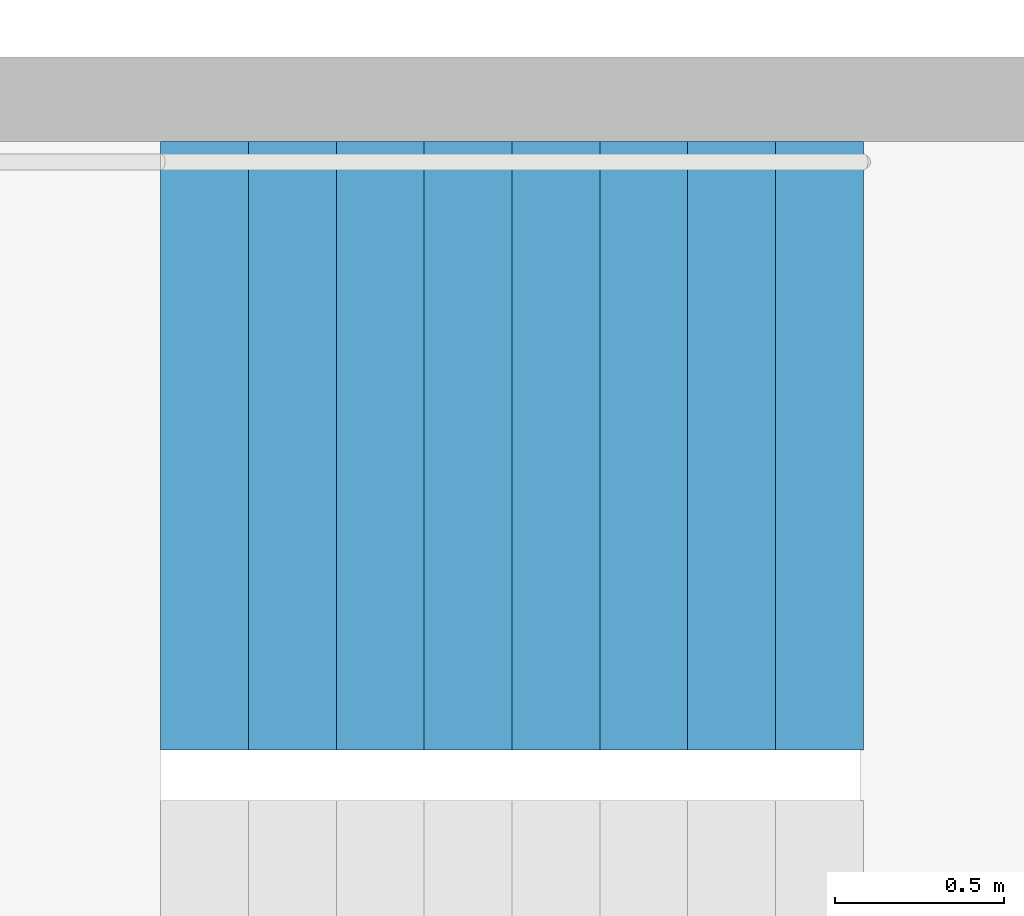
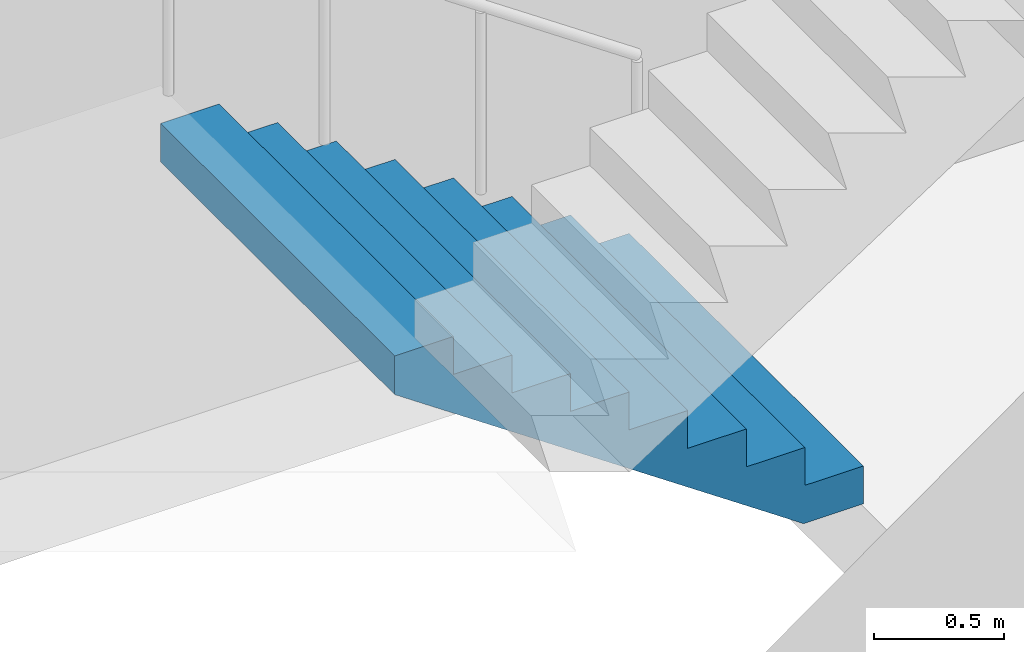
# One storey, part 22 of 29: 1 stair flight, 1 element without a shape of its own.
"""IFC4 building model written with IfcOpenShell, lengths in metres."""

from ifc_helpers import new_model, si_unit, direction, frame, origin, place, context, subcontext, project, spatial, triangles, material, type_object, element, aggregate, save


model = new_model("IFC4")

# Units and contexts
model_context = context("Model", 3, precision=1e-05, world=origin(), true_north=direction((0.0, 1.0)))
body_context = subcontext(model_context, "Body", "Model", "MODEL_VIEW")
ifc_project = project(units=[si_unit("LENGTHUNIT", "METRE"), si_unit("AREAUNIT", "SQUARE_METRE"), si_unit("VOLUMEUNIT", "CUBIC_METRE"), si_unit("PLANEANGLEUNIT", "RADIAN"), si_unit("MASSUNIT", "GRAM", prefix="KILO")], contexts=[model_context])

# Site, building, storey
site_placement = place(None, origin())
site = spatial("IfcSite", under=ifc_project, at=site_placement, CompositionType="ELEMENT")
building_placement = place(site_placement, origin())
building = spatial("IfcBuilding", under=site, at=building_placement, Name="Hakoniwa Tower and Hamabe Station Hall", CompositionType="ELEMENT")
storey_placement = place(building_placement, frame((0.0, 0.0, 117.0)))
storey = spatial("IfcBuildingStorey", under=building, at=storey_placement, Name="L33", CompositionType="ELEMENT", Elevation=117.0)

# Stair, stair flight
ifc_material_1 = material(Name="Concrete C40", Category="concrete")
stair_type = type_object("IfcStairType", Name="ESCAPE STAIR 1800", PredefinedType="HALF_TURN_STAIR", material=ifc_material_1)
stair_placement = place(storey_placement, origin())
stair = element("IfcStair", 1, at=stair_placement, inside=storey, type_object=stair_type, Name="Escape stair ST-2 L33", PredefinedType="HALF_TURN_STAIR")
ifc_material_2 = material(Name="Concrete C40", Category="concrete")
stair_flight_type = type_object("IfcStairFlightType", Name="STAIR FLIGHT 1800", PredefinedType="STRAIGHT", material=ifc_material_2)
stair_flight_placement = place(storey_placement, frame((-23.39990234375, -4.64990234375, 0.0), z_axis=(0.0, 0.0, 1.0), x_axis=(-1.0, 0.0, 0.0)))
stair_flight = element("IfcStairFlight", 2, at=stair_flight_placement, type_object=stair_flight_type, Name="ST-2 flight 1", NumberOfRisers=9, NumberOfTreads=8, PredefinedType="STRAIGHT", RiserHeight=0.177777778, TreadLength=0.26, context=body_context, shape_type="Tessellation", body=[
    triangles([(0.0, 0.89990234375, 0.0), (0.260009765625, 0.89990234375, 0.0), (0.265625, 0.89990234375, 0.0), (0.52001953125, 0.89990234375, 0.174072265625), (0.780029296875, 0.89990234375, 0.351806640625), (1.0400390625, 0.89990234375, 0.529541015625), (1.300048828125, 0.89990234375, 0.707275390625), (1.56005859375, 0.89990234375, 0.885009765625), (1.820068359375, 0.89990234375, 1.062744140625), (2.080078125, 0.89990234375, 1.24072265625), (2.080078125, 0.89990234375, 1.422119140625), (1.820068359375, 0.89990234375, 1.422119140625), (1.820068359375, 0.89990234375, 1.244384765625), (1.56005859375, 0.89990234375, 1.244384765625), (1.56005859375, 0.89990234375, 1.066650390625), (1.300048828125, 0.89990234375, 1.066650390625), (1.300048828125, 0.89990234375, 0.888916015625), (1.0400390625, 0.89990234375, 0.888916015625), (1.0400390625, 0.89990234375, 0.711181640625), (0.780029296875, 0.89990234375, 0.711181640625), (0.780029296875, 0.89990234375, 0.533447265625), (0.52001953125, 0.89990234375, 0.533447265625), (0.52001953125, 0.89990234375, 0.35546875), (0.265625, 0.89990234375, 0.35546875), (0.260009765625, 0.89990234375, 0.35546875), (0.260009765625, 0.89990234375, 0.177734375), (0.0, 0.89990234375, 0.177734375), (0.0, 0.06005859375, 0.0), (0.260009765625, 0.06005859375, 0.0), (0.265625, 0.06005859375, 0.0), (0.52001953125, 0.06005859375, 0.174072265625), (0.780029296875, 0.06005859375, 0.351806640625), (1.0400390625, 0.06005859375, 0.529541015625), (1.300048828125, 0.06005859375, 0.707275390625), (1.56005859375, 0.06005859375, 0.885009765625), (1.820068359375, 0.06005859375, 1.062744140625), (2.080078125, 0.06005859375, 1.24072265625), (2.080078125, 0.06005859375, 1.422119140625), (1.820068359375, 0.06005859375, 1.422119140625), (1.820068359375, 0.06005859375, 1.244384765625), (1.56005859375, 0.06005859375, 1.244384765625), (1.56005859375, 0.06005859375, 1.066650390625), (1.300048828125, 0.06005859375, 1.066650390625), (1.300048828125, 0.06005859375, 0.888916015625), (1.0400390625, 0.06005859375, 0.888916015625), (1.0400390625, 0.06005859375, 0.711181640625), (0.780029296875, 0.06005859375, 0.711181640625), (0.780029296875, 0.06005859375, 0.533447265625), (0.52001953125, 0.06005859375, 0.533447265625), (0.52001953125, 0.06005859375, 0.35546875), (0.265625, 0.06005859375, 0.35546875), (0.260009765625, 0.06005859375, 0.35546875), (0.260009765625, 0.06005859375, 0.177734375), (0.0, 0.06005859375, 0.177734375), (0.0, 0.04296875, 0.0), (0.260009765625, 0.04296875, 0.0), (0.265625, 0.04296875, 0.0), (0.52001953125, 0.04296875, 0.174072265625), (0.780029296875, 0.04296875, 0.351806640625), (1.0400390625, 0.04296875, 0.529541015625), (1.300048828125, 0.04296875, 0.707275390625), (1.56005859375, 0.04296875, 0.885009765625), (1.820068359375, 0.04296875, 1.062744140625), (2.080078125, 0.04296875, 1.24072265625), (2.080078125, 0.04296875, 1.422119140625), (1.820068359375, 0.04296875, 1.422119140625), (1.820068359375, 0.04296875, 1.244384765625), (1.56005859375, 0.04296875, 1.244384765625), (1.56005859375, 0.04296875, 1.066650390625), (1.300048828125, 0.04296875, 1.066650390625), (1.300048828125, 0.04296875, 0.888916015625), (1.0400390625, 0.04296875, 0.888916015625), (1.0400390625, 0.04296875, 0.711181640625), (0.780029296875, 0.04296875, 0.711181640625), (0.780029296875, 0.04296875, 0.533447265625), (0.52001953125, 0.04296875, 0.533447265625), (0.52001953125, 0.04296875, 0.35546875), (0.265625, 0.04296875, 0.35546875), (0.260009765625, 0.04296875, 0.35546875), (0.260009765625, 0.04296875, 0.177734375), (0.0, 0.04296875, 0.177734375), (0.0, 0.025634765625, 0.0), (0.260009765625, 0.025634765625, 0.0), (0.265625, 0.025634765625, 0.0), (0.52001953125, 0.025634765625, 0.174072265625), (0.780029296875, 0.025634765625, 0.351806640625), (1.0400390625, 0.025634765625, 0.529541015625), (1.300048828125, 0.025634765625, 0.707275390625), (1.56005859375, 0.025634765625, 0.885009765625), (1.820068359375, 0.025634765625, 1.062744140625), (2.080078125, 0.025634765625, 1.24072265625), (2.080078125, 0.025634765625, 1.422119140625), (1.820068359375, 0.025634765625, 1.422119140625), (1.820068359375, 0.025634765625, 1.244384765625), (1.56005859375, 0.025634765625, 1.244384765625), (1.56005859375, 0.025634765625, 1.066650390625), (1.300048828125, 0.025634765625, 1.066650390625), (1.300048828125, 0.025634765625, 0.888916015625), (1.0400390625, 0.025634765625, 0.888916015625), (1.0400390625, 0.025634765625, 0.711181640625), (0.780029296875, 0.025634765625, 0.711181640625), (0.780029296875, 0.025634765625, 0.533447265625), (0.52001953125, 0.025634765625, 0.533447265625), (0.52001953125, 0.025634765625, 0.35546875), (0.265625, 0.025634765625, 0.35546875), (0.260009765625, 0.025634765625, 0.35546875), (0.260009765625, 0.025634765625, 0.177734375), (0.0, 0.025634765625, 0.177734375), (0.0, 0.008544921875, 0.0), (0.260009765625, 0.008544921875, 0.0), (0.265625, 0.008544921875, 0.0), (0.52001953125, 0.008544921875, 0.174072265625), (0.780029296875, 0.008544921875, 0.351806640625), (1.0400390625, 0.008544921875, 0.529541015625), (1.300048828125, 0.008544921875, 0.707275390625), (1.56005859375, 0.008544921875, 0.885009765625), (1.820068359375, 0.008544921875, 1.062744140625), (2.080078125, 0.008544921875, 1.24072265625), (2.080078125, 0.008544921875, 1.422119140625), (1.820068359375, 0.008544921875, 1.422119140625), (1.820068359375, 0.008544921875, 1.244384765625), (1.56005859375, 0.008544921875, 1.244384765625), (1.56005859375, 0.008544921875, 1.066650390625), (1.300048828125, 0.008544921875, 1.066650390625), (1.300048828125, 0.008544921875, 0.888916015625), (1.0400390625, 0.008544921875, 0.888916015625), (1.0400390625, 0.008544921875, 0.711181640625), (0.780029296875, 0.008544921875, 0.711181640625), (0.780029296875, 0.008544921875, 0.533447265625), (0.52001953125, 0.008544921875, 0.533447265625), (0.52001953125, 0.008544921875, 0.35546875), (0.265625, 0.008544921875, 0.35546875), (0.260009765625, 0.008544921875, 0.35546875), (0.260009765625, 0.008544921875, 0.177734375), (0.0, 0.008544921875, 0.177734375), (0.0, -0.008544921875, 0.0), (0.260009765625, -0.008544921875, 0.0), (0.265625, -0.008544921875, 0.0), (0.52001953125, -0.008544921875, 0.174072265625), (0.780029296875, -0.008544921875, 0.351806640625), (1.0400390625, -0.008544921875, 0.529541015625), (1.300048828125, -0.008544921875, 0.707275390625), (1.56005859375, -0.008544921875, 0.885009765625), (1.820068359375, -0.008544921875, 1.062744140625), (2.080078125, -0.008544921875, 1.24072265625), (2.080078125, -0.008544921875, 1.422119140625), (1.820068359375, -0.008544921875, 1.422119140625), (1.820068359375, -0.008544921875, 1.244384765625), (1.56005859375, -0.008544921875, 1.244384765625), (1.56005859375, -0.008544921875, 1.066650390625), (1.300048828125, -0.008544921875, 1.066650390625), (1.300048828125, -0.008544921875, 0.888916015625), (1.0400390625, -0.008544921875, 0.888916015625), (1.0400390625, -0.008544921875, 0.711181640625), (0.780029296875, -0.008544921875, 0.711181640625), (0.780029296875, -0.008544921875, 0.533447265625), (0.52001953125, -0.008544921875, 0.533447265625), (0.52001953125, -0.008544921875, 0.35546875), (0.265625, -0.008544921875, 0.35546875), (0.260009765625, -0.008544921875, 0.35546875), (0.260009765625, -0.008544921875, 0.177734375), (0.0, -0.008544921875, 0.177734375), (0.0, -0.025634765625, 0.0), (0.260009765625, -0.025634765625, 0.0), (0.265625, -0.025634765625, 0.0), (0.52001953125, -0.025634765625, 0.174072265625), (0.780029296875, -0.025634765625, 0.351806640625), (1.0400390625, -0.025634765625, 0.529541015625), (1.300048828125, -0.025634765625, 0.707275390625), (1.56005859375, -0.025634765625, 0.885009765625), (1.820068359375, -0.025634765625, 1.062744140625), (2.080078125, -0.025634765625, 1.24072265625), (2.080078125, -0.025634765625, 1.422119140625), (1.820068359375, -0.025634765625, 1.422119140625), (1.820068359375, -0.025634765625, 1.244384765625), (1.56005859375, -0.025634765625, 1.244384765625), (1.56005859375, -0.025634765625, 1.066650390625), (1.300048828125, -0.025634765625, 1.066650390625), (1.300048828125, -0.025634765625, 0.888916015625), (1.0400390625, -0.025634765625, 0.888916015625), (1.0400390625, -0.025634765625, 0.711181640625), (0.780029296875, -0.025634765625, 0.711181640625), (0.780029296875, -0.025634765625, 0.533447265625), (0.52001953125, -0.025634765625, 0.533447265625), (0.52001953125, -0.025634765625, 0.35546875), (0.265625, -0.025634765625, 0.35546875), (0.260009765625, -0.025634765625, 0.35546875), (0.260009765625, -0.025634765625, 0.177734375), (0.0, -0.025634765625, 0.177734375), (0.0, -0.04296875, 0.0), (0.260009765625, -0.04296875, 0.0), (0.265625, -0.04296875, 0.0), (0.52001953125, -0.04296875, 0.174072265625), (0.780029296875, -0.04296875, 0.351806640625), (1.0400390625, -0.04296875, 0.529541015625), (1.300048828125, -0.04296875, 0.707275390625), (1.56005859375, -0.04296875, 0.885009765625), (1.820068359375, -0.04296875, 1.062744140625), (2.080078125, -0.04296875, 1.24072265625), (2.080078125, -0.04296875, 1.422119140625), (1.820068359375, -0.04296875, 1.422119140625), (1.820068359375, -0.04296875, 1.244384765625), (1.56005859375, -0.04296875, 1.244384765625), (1.56005859375, -0.04296875, 1.066650390625), (1.300048828125, -0.04296875, 1.066650390625), (1.300048828125, -0.04296875, 0.888916015625), (1.0400390625, -0.04296875, 0.888916015625), (1.0400390625, -0.04296875, 0.711181640625), (0.780029296875, -0.04296875, 0.711181640625), (0.780029296875, -0.04296875, 0.533447265625), (0.52001953125, -0.04296875, 0.533447265625), (0.52001953125, -0.04296875, 0.35546875), (0.265625, -0.04296875, 0.35546875), (0.260009765625, -0.04296875, 0.35546875), (0.260009765625, -0.04296875, 0.177734375), (0.0, -0.04296875, 0.177734375), (0.0, -0.06005859375, 0.0), (0.260009765625, -0.06005859375, 0.0), (0.265625, -0.06005859375, 0.0), (0.52001953125, -0.06005859375, 0.174072265625), (0.780029296875, -0.06005859375, 0.351806640625), (1.0400390625, -0.06005859375, 0.529541015625), (1.300048828125, -0.06005859375, 0.707275390625), (1.56005859375, -0.06005859375, 0.885009765625), (1.820068359375, -0.06005859375, 1.062744140625), (2.080078125, -0.06005859375, 1.24072265625), (2.080078125, -0.06005859375, 1.422119140625), (1.820068359375, -0.06005859375, 1.422119140625), (1.820068359375, -0.06005859375, 1.244384765625), (1.56005859375, -0.06005859375, 1.244384765625), (1.56005859375, -0.06005859375, 1.066650390625), (1.300048828125, -0.06005859375, 1.066650390625), (1.300048828125, -0.06005859375, 0.888916015625), (1.0400390625, -0.06005859375, 0.888916015625), (1.0400390625, -0.06005859375, 0.711181640625), (0.780029296875, -0.06005859375, 0.711181640625), (0.780029296875, -0.06005859375, 0.533447265625), (0.52001953125, -0.06005859375, 0.533447265625), (0.52001953125, -0.06005859375, 0.35546875), (0.265625, -0.06005859375, 0.35546875), (0.260009765625, -0.06005859375, 0.35546875), (0.260009765625, -0.06005859375, 0.177734375), (0.0, -0.06005859375, 0.177734375), (0.0, -0.89990234375, 0.0), (0.260009765625, -0.89990234375, 0.0), (0.265625, -0.89990234375, 0.0), (0.52001953125, -0.89990234375, 0.174072265625), (0.780029296875, -0.89990234375, 0.351806640625), (1.0400390625, -0.89990234375, 0.529541015625), (1.300048828125, -0.89990234375, 0.707275390625), (1.56005859375, -0.89990234375, 0.885009765625), (1.820068359375, -0.89990234375, 1.062744140625), (2.080078125, -0.89990234375, 1.24072265625), (2.080078125, -0.89990234375, 1.422119140625), (1.820068359375, -0.89990234375, 1.422119140625), (1.820068359375, -0.89990234375, 1.244384765625), (1.56005859375, -0.89990234375, 1.244384765625), (1.56005859375, -0.89990234375, 1.066650390625), (1.300048828125, -0.89990234375, 1.066650390625), (1.300048828125, -0.89990234375, 0.888916015625), (1.0400390625, -0.89990234375, 0.888916015625), (1.0400390625, -0.89990234375, 0.711181640625), (0.780029296875, -0.89990234375, 0.711181640625), (0.780029296875, -0.89990234375, 0.533447265625), (0.52001953125, -0.89990234375, 0.533447265625), (0.52001953125, -0.89990234375, 0.35546875), (0.265625, -0.89990234375, 0.35546875), (0.260009765625, -0.89990234375, 0.35546875), (0.260009765625, -0.89990234375, 0.177734375), (0.0, -0.89990234375, 0.177734375)], [[2, 27, 26], [245, 269, 270], [2, 1, 27], [245, 270, 244], [3, 25, 24], [246, 267, 268], [3, 26, 25], [246, 268, 269], [3, 2, 26], [246, 269, 245], [4, 24, 23], [247, 266, 267], [4, 3, 24], [247, 267, 246], [5, 22, 21], [248, 264, 265], [5, 23, 22], [248, 265, 266], [5, 4, 23], [248, 266, 247], [6, 20, 19], [249, 262, 263], [6, 21, 20], [249, 263, 264], [6, 5, 21], [249, 264, 248], [7, 18, 17], [250, 260, 261], [7, 19, 18], [250, 261, 262], [7, 6, 19], [250, 262, 249], [8, 16, 15], [251, 258, 259], [8, 17, 16], [251, 259, 260], [8, 7, 17], [251, 260, 250], [9, 14, 13], [252, 256, 257], [9, 15, 14], [252, 257, 258], [9, 8, 15], [252, 258, 251], [10, 12, 11], [253, 254, 255], [10, 13, 12], [253, 255, 256], [10, 9, 13], [253, 256, 252], [1, 2, 29], [1, 29, 28], [28, 29, 56], [28, 56, 55], [55, 56, 83], [55, 83, 82], [82, 83, 110], [82, 110, 109], [109, 110, 137], [109, 137, 136], [136, 137, 164], [136, 164, 163], [163, 164, 191], [163, 191, 190], [190, 191, 218], [190, 218, 217], [217, 218, 245], [217, 245, 244], [2, 3, 30], [2, 30, 29], [29, 30, 57], [29, 57, 56], [56, 57, 84], [56, 84, 83], [83, 84, 111], [83, 111, 110], [110, 111, 138], [110, 138, 137], [137, 138, 165], [137, 165, 164], [164, 165, 192], [164, 192, 191], [191, 192, 219], [191, 219, 218], [218, 219, 246], [218, 246, 245], [3, 4, 31], [3, 31, 30], [30, 31, 58], [30, 58, 57], [57, 58, 85], [57, 85, 84], [84, 85, 112], [84, 112, 111], [111, 112, 139], [111, 139, 138], [138, 139, 166], [138, 166, 165], [165, 166, 193], [165, 193, 192], [192, 193, 220], [192, 220, 219], [219, 220, 247], [219, 247, 246], [4, 5, 32], [4, 32, 31], [31, 32, 59], [31, 59, 58], [58, 59, 86], [58, 86, 85], [85, 86, 113], [85, 113, 112], [112, 113, 140], [112, 140, 139], [139, 140, 167], [139, 167, 166], [166, 167, 194], [166, 194, 193], [193, 194, 221], [193, 221, 220], [220, 221, 248], [220, 248, 247], [5, 6, 33], [5, 33, 32], [32, 33, 60], [32, 60, 59], [59, 60, 87], [59, 87, 86], [86, 87, 114], [86, 114, 113], [113, 114, 141], [113, 141, 140], [140, 141, 168], [140, 168, 167], [167, 168, 195], [167, 195, 194], [194, 195, 222], [194, 222, 221], [221, 222, 249], [221, 249, 248], [6, 7, 34], [6, 34, 33], [33, 34, 61], [33, 61, 60], [60, 61, 88], [60, 88, 87], [87, 88, 115], [87, 115, 114], [114, 115, 142], [114, 142, 141], [141, 142, 169], [141, 169, 168], [168, 169, 196], [168, 196, 195], [195, 196, 223], [195, 223, 222], [222, 223, 250], [222, 250, 249], [7, 8, 35], [7, 35, 34], [34, 35, 62], [34, 62, 61], [61, 62, 89], [61, 89, 88], [88, 89, 116], [88, 116, 115], [115, 116, 143], [115, 143, 142], [142, 143, 170], [142, 170, 169], [169, 170, 197], [169, 197, 196], [196, 197, 224], [196, 224, 223], [223, 224, 251], [223, 251, 250], [8, 9, 36], [8, 36, 35], [35, 36, 63], [35, 63, 62], [62, 63, 90], [62, 90, 89], [89, 90, 117], [89, 117, 116], [116, 117, 144], [116, 144, 143], [143, 144, 171], [143, 171, 170], [170, 171, 198], [170, 198, 197], [197, 198, 225], [197, 225, 224], [224, 225, 252], [224, 252, 251], [9, 10, 37], [9, 37, 36], [36, 37, 64], [36, 64, 63], [63, 64, 91], [63, 91, 90], [90, 91, 118], [90, 118, 117], [117, 118, 145], [117, 145, 144], [144, 145, 172], [144, 172, 171], [171, 172, 199], [171, 199, 198], [198, 199, 226], [198, 226, 225], [225, 226, 253], [225, 253, 252], [10, 11, 38], [10, 38, 37], [37, 38, 65], [37, 65, 64], [64, 65, 92], [64, 92, 91], [91, 92, 119], [91, 119, 118], [118, 119, 146], [118, 146, 145], [145, 146, 173], [145, 173, 172], [172, 173, 200], [172, 200, 199], [199, 200, 227], [199, 227, 226], [226, 227, 254], [226, 254, 253], [11, 12, 39], [11, 39, 38], [38, 39, 66], [38, 66, 65], [65, 66, 93], [65, 93, 92], [92, 93, 120], [92, 120, 119], [119, 120, 147], [119, 147, 146], [146, 147, 174], [146, 174, 173], [173, 174, 201], [173, 201, 200], [200, 201, 228], [200, 228, 227], [227, 228, 255], [227, 255, 254], [12, 13, 40], [12, 40, 39], [39, 40, 67], [39, 67, 66], [66, 67, 94], [66, 94, 93], [93, 94, 121], [93, 121, 120], [120, 121, 148], [120, 148, 147], [147, 148, 175], [147, 175, 174], [174, 175, 202], [174, 202, 201], [201, 202, 229], [201, 229, 228], [228, 229, 256], [228, 256, 255], [13, 14, 41], [13, 41, 40], [40, 41, 68], [40, 68, 67], [67, 68, 95], [67, 95, 94], [94, 95, 122], [94, 122, 121], [121, 122, 149], [121, 149, 148], [148, 149, 176], [148, 176, 175], [175, 176, 203], [175, 203, 202], [202, 203, 230], [202, 230, 229], [229, 230, 257], [229, 257, 256], [14, 15, 42], [14, 42, 41], [41, 42, 69], [41, 69, 68], [68, 69, 96], [68, 96, 95], [95, 96, 123], [95, 123, 122], [122, 123, 150], [122, 150, 149], [149, 150, 177], [149, 177, 176], [176, 177, 204], [176, 204, 203], [203, 204, 231], [203, 231, 230], [230, 231, 258], [230, 258, 257], [15, 16, 43], [15, 43, 42], [42, 43, 70], [42, 70, 69], [69, 70, 97], [69, 97, 96], [96, 97, 124], [96, 124, 123], [123, 124, 151], [123, 151, 150], [150, 151, 178], [150, 178, 177], [177, 178, 205], [177, 205, 204], [204, 205, 232], [204, 232, 231], [231, 232, 259], [231, 259, 258], [16, 17, 44], [16, 44, 43], [43, 44, 71], [43, 71, 70], [70, 71, 98], [70, 98, 97], [97, 98, 125], [97, 125, 124], [124, 125, 152], [124, 152, 151], [151, 152, 179], [151, 179, 178], [178, 179, 206], [178, 206, 205], [205, 206, 233], [205, 233, 232], [232, 233, 260], [232, 260, 259], [17, 18, 45], [17, 45, 44], [44, 45, 72], [44, 72, 71], [71, 72, 99], [71, 99, 98], [98, 99, 126], [98, 126, 125], [125, 126, 153], [125, 153, 152], [152, 153, 180], [152, 180, 179], [179, 180, 207], [179, 207, 206], [206, 207, 234], [206, 234, 233], [233, 234, 261], [233, 261, 260], [18, 19, 46], [18, 46, 45], [45, 46, 73], [45, 73, 72], [72, 73, 100], [72, 100, 99], [99, 100, 127], [99, 127, 126], [126, 127, 154], [126, 154, 153], [153, 154, 181], [153, 181, 180], [180, 181, 208], [180, 208, 207], [207, 208, 235], [207, 235, 234], [234, 235, 262], [234, 262, 261], [19, 20, 47], [19, 47, 46], [46, 47, 74], [46, 74, 73], [73, 74, 101], [73, 101, 100], [100, 101, 128], [100, 128, 127], [127, 128, 155], [127, 155, 154], [154, 155, 182], [154, 182, 181], [181, 182, 209], [181, 209, 208], [208, 209, 236], [208, 236, 235], [235, 236, 263], [235, 263, 262], [20, 21, 48], [20, 48, 47], [47, 48, 75], [47, 75, 74], [74, 75, 102], [74, 102, 101], [101, 102, 129], [101, 129, 128], [128, 129, 156], [128, 156, 155], [155, 156, 183], [155, 183, 182], [182, 183, 210], [182, 210, 209], [209, 210, 237], [209, 237, 236], [236, 237, 264], [236, 264, 263], [21, 22, 49], [21, 49, 48], [48, 49, 76], [48, 76, 75], [75, 76, 103], [75, 103, 102], [102, 103, 130], [102, 130, 129], [129, 130, 157], [129, 157, 156], [156, 157, 184], [156, 184, 183], [183, 184, 211], [183, 211, 210], [210, 211, 238], [210, 238, 237], [237, 238, 265], [237, 265, 264], [22, 23, 50], [22, 50, 49], [49, 50, 77], [49, 77, 76], [76, 77, 104], [76, 104, 103], [103, 104, 131], [103, 131, 130], [130, 131, 158], [130, 158, 157], [157, 158, 185], [157, 185, 184], [184, 185, 212], [184, 212, 211], [211, 212, 239], [211, 239, 238], [238, 239, 266], [238, 266, 265], [23, 24, 51], [23, 51, 50], [50, 51, 78], [50, 78, 77], [77, 78, 105], [77, 105, 104], [104, 105, 132], [104, 132, 131], [131, 132, 159], [131, 159, 158], [158, 159, 186], [158, 186, 185], [185, 186, 213], [185, 213, 212], [212, 213, 240], [212, 240, 239], [239, 240, 267], [239, 267, 266], [24, 25, 52], [24, 52, 51], [51, 52, 79], [51, 79, 78], [78, 79, 106], [78, 106, 105], [105, 106, 133], [105, 133, 132], [132, 133, 160], [132, 160, 159], [159, 160, 187], [159, 187, 186], [186, 187, 214], [186, 214, 213], [213, 214, 241], [213, 241, 240], [240, 241, 268], [240, 268, 267], [25, 26, 53], [25, 53, 52], [52, 53, 80], [52, 80, 79], [79, 80, 107], [79, 107, 106], [106, 107, 134], [106, 134, 133], [133, 134, 161], [133, 161, 160], [160, 161, 188], [160, 188, 187], [187, 188, 215], [187, 215, 214], [214, 215, 242], [214, 242, 241], [241, 242, 269], [241, 269, 268], [26, 27, 54], [26, 54, 53], [53, 54, 81], [53, 81, 80], [80, 81, 108], [80, 108, 107], [107, 108, 135], [107, 135, 134], [134, 135, 162], [134, 162, 161], [161, 162, 189], [161, 189, 188], [188, 189, 216], [188, 216, 215], [215, 216, 243], [215, 243, 242], [242, 243, 270], [242, 270, 269], [27, 1, 28], [27, 28, 54], [54, 28, 55], [54, 55, 81], [81, 55, 82], [81, 82, 108], [108, 82, 109], [108, 109, 135], [135, 109, 136], [135, 136, 162], [162, 136, 163], [162, 163, 189], [189, 163, 190], [189, 190, 216], [216, 190, 217], [216, 217, 243], [243, 217, 244], [243, 244, 270]], closed=True),
])
aggregate(stair, [stair_flight])

save(model, "model.ifc")
